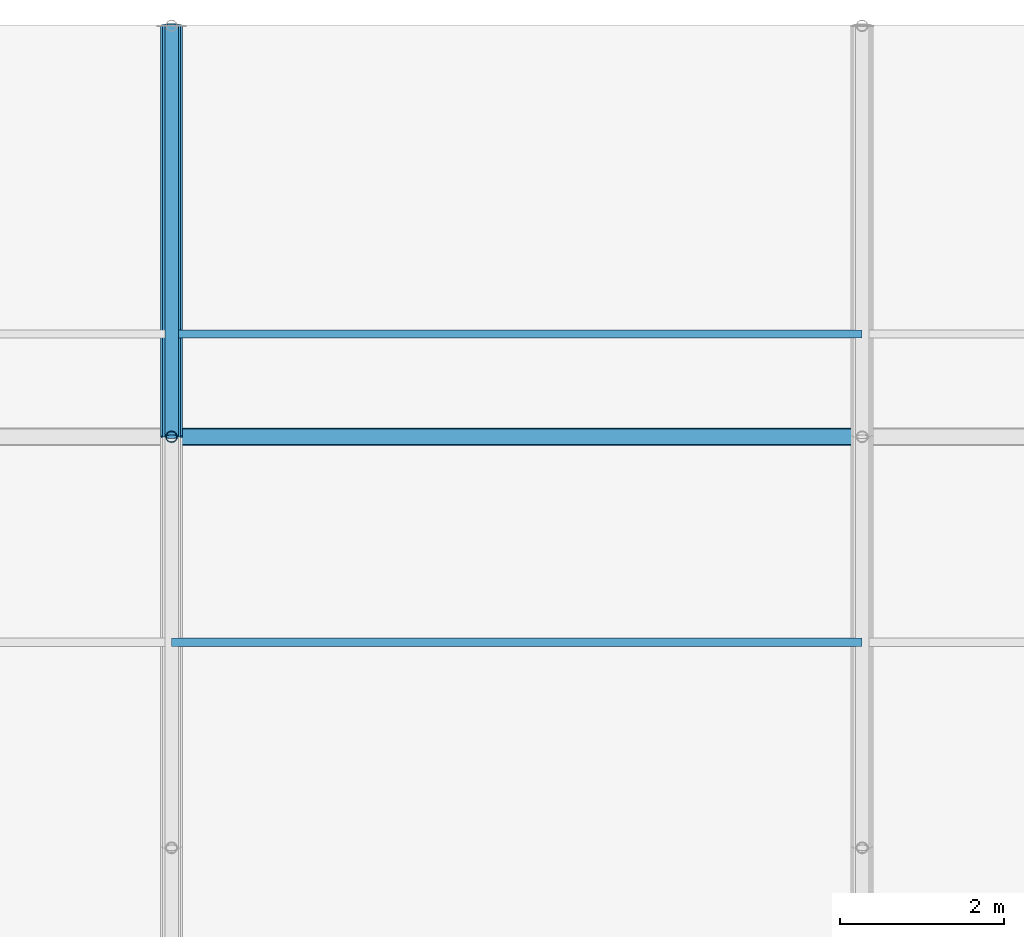
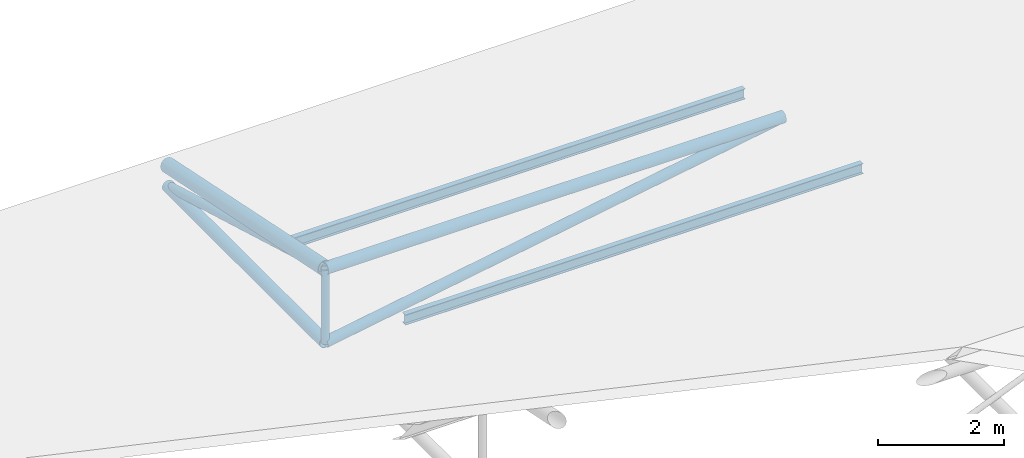
# One storey, part 108 of 194: 6 members, 2 beams.
"""IFC4 building model written with IfcOpenShell, lengths in metres."""

from ifc_helpers import new_model, si_unit, direction, frame, origin, origin_2d, place, context, subcontext, project, spatial, hollow_circle, i_section, extrude, material, material_profile, profile_set, type_object, element, save


model = new_model("IFC4")

# Units and contexts
model_context = context("Model", 3, precision=1e-05, world=origin(), true_north=direction((0.0, 1.0)))
body_context = subcontext(model_context, "Body", "Model", "MODEL_VIEW")
ifc_project = project(units=[si_unit("LENGTHUNIT", "METRE"), si_unit("AREAUNIT", "SQUARE_METRE"), si_unit("VOLUMEUNIT", "CUBIC_METRE"), si_unit("PLANEANGLEUNIT", "RADIAN"), si_unit("MASSUNIT", "GRAM", prefix="KILO")], contexts=[model_context])

# Site, building, storey
site_placement = place(None, origin())
site = spatial("IfcSite", under=ifc_project, at=site_placement, CompositionType="ELEMENT")
building_placement = place(site_placement, origin())
building = spatial("IfcBuilding", under=site, at=building_placement, Name="Kazenagashi Tramway Depot", CompositionType="ELEMENT")
storey_placement = place(building_placement, frame((0.0, 0.0, 23.7)))
storey = spatial("IfcBuildingStorey", under=building, at=storey_placement, Name="ROOF", CompositionType="ELEMENT", Elevation=23.7)

# Beams
ifc_material_1 = material(Name="Steel SN400B", Category="steel")
ifc_material_profile_1 = material_profile(ifc_material_1, i_section(OverallWidth=0.1, OverallDepth=0.2, WebThickness=0.0055, FlangeThickness=0.008, at=origin_2d()), Name="H-200x100x5.5x8")
ifc_profile_set_1 = profile_set([ifc_material_profile_1], Name="Steel SN400B")
beam_type = type_object("IfcBeamType", Name="PR-01", PredefinedType="USERDEFINED", material=ifc_profile_set_1)
for number, where, z_axis, x_axis, name in (
    (1, (170.8, 122.5, -12.13), (1.0, 0.0, 0.0), (0.0, 1.0, 0.0), "Beam PR-01 BM-2213"),
    (2, (170.8, 126.25, -12.955), (1.0, 0.0, 0.0), (0.0, 1.0, 0.0), "Beam PR-01 BM-2231"),
):
    element("IfcBeam", number, at=place(storey_placement, frame(where, z_axis=z_axis, x_axis=x_axis)), inside=storey, type_object=beam_type, Name=name, ObjectType="PURLIN", PredefinedType="USERDEFINED", context=body_context, shape_type="SweptSolid", body=[
        extrude(i_section(OverallWidth=0.1, OverallDepth=0.2, WebThickness=0.0055, FlangeThickness=0.008, at=origin_2d()), origin(), (0.0, 0.0, 1.0), 8.4),
    ])

# Members
ifc_material_2 = material(Name="Steel STK490", Category="steel")
ifc_material_profile_2 = material_profile(ifc_material_2, hollow_circle(Radius=0.1337, WallThickness=0.0093, at=origin_2d()), Name="CHS-267.4x9.3")
ifc_profile_set_2 = profile_set([ifc_material_profile_2], Name="Steel STK490")
member_type_1 = type_object("IfcMemberType", Name="TC-01", PredefinedType="CHORD", material=ifc_profile_set_2)
member_1_placement = place(storey_placement, frame((170.8, 125.0, -12.667), z_axis=(0.0, 0.979317999984, -0.202327098797), x_axis=(-1.0, 0.0, 0.0)))
element("IfcMember", 3, at=member_1_placement, inside=storey, type_object=member_type_1, Name="Tubular Space Frame TC-01 MEM-0962", PredefinedType="CHORD", context=body_context, shape_type="SweptSolid", body=[
    extrude(hollow_circle(Radius=0.1337, WallThickness=0.0093, at=origin_2d()), origin(), (0.0, 0.0, 1.0), 5.105594),
])
ifc_material_profile_3 = material_profile(ifc_material_2, hollow_circle(Radius=0.10815, WallThickness=0.0082, at=origin_2d()), Name="CHS-216.3x8.2")
ifc_profile_set_3 = profile_set([ifc_material_profile_3], Name="Steel STK490")
member_type_2 = type_object("IfcMemberType", Name="TC-02", PredefinedType="CHORD", material=ifc_profile_set_3)
member_2_placement = place(storey_placement, frame((170.8, 125.0, -14.1), z_axis=(0.0, 1.0, 0.0), x_axis=(-1.0, 0.0, 0.0)))
element("IfcMember", 4, at=member_2_placement, inside=storey, type_object=member_type_2, Name="Tubular Space Frame TC-02 MEM-0963", PredefinedType="CHORD", context=body_context, shape_type="SweptSolid", body=[
    extrude(hollow_circle(Radius=0.10815, WallThickness=0.0082, at=origin_2d()), origin(), (0.0, 0.0, 1.0), 5.0),
])
member_3_placement = place(storey_placement, frame((170.8, 125.0, -12.667), z_axis=(1.0, 0.0, 0.0), x_axis=(0.0, 1.0, 0.0)))
element("IfcMember", 5, at=member_3_placement, inside=storey, type_object=member_type_2, Name="Tubular Space Frame TC-02 MEM-0975", PredefinedType="CHORD", context=body_context, shape_type="SweptSolid", body=[
    extrude(hollow_circle(Radius=0.10815, WallThickness=0.0082, at=origin_2d()), origin(), (0.0, 0.0, 1.0), 8.4),
])
ifc_material_profile_4 = material_profile(ifc_material_2, hollow_circle(Radius=0.0826, WallThickness=0.0071, at=origin_2d()), Name="CHS-165.2x7.1")
ifc_profile_set_4 = profile_set([ifc_material_profile_4], Name="Steel STK490")
member_type_3 = type_object("IfcMemberType", Name="TS-01", PredefinedType="STRUT", material=ifc_profile_set_4)
member_4_placement = place(storey_placement, frame((170.8, 125.0, -12.667), z_axis=(0.0, 0.961298717795, -0.27550821252), x_axis=(-1.0, 0.0, 0.0)))
element("IfcMember", 6, at=member_4_placement, inside=storey, type_object=member_type_3, Name="Tubular Space Frame TS-01 MEM-0964", PredefinedType="STRUT", context=body_context, shape_type="SweptSolid", body=[
    extrude(hollow_circle(Radius=0.0826, WallThickness=0.0071, at=origin_2d()), origin(), (0.0, 0.0, 1.0), 5.201297),
])
ifc_material_profile_5 = material_profile(ifc_material_2, hollow_circle(Radius=0.0699, WallThickness=0.0066, at=origin_2d()), Name="CHS-139.8x6.6")
ifc_profile_set_5 = profile_set([ifc_material_profile_5], Name="Steel STK490")
member_type_4 = type_object("IfcMemberType", Name="TS-02", PredefinedType="STRUT", material=ifc_profile_set_5)
member_5_placement = place(storey_placement, frame((170.8, 125.0, -14.1), z_axis=(0.0, 0.0, 1.0), x_axis=(1.0, 0.0, 0.0)))
element("IfcMember", 7, at=member_5_placement, inside=storey, type_object=member_type_4, Name="Tubular Space Frame TS-02 MEM-0969", PredefinedType="STRUT", context=body_context, shape_type="SweptSolid", body=[
    extrude(hollow_circle(Radius=0.0699, WallThickness=0.0066, at=origin_2d()), origin(), (0.0, 0.0, 1.0), 1.433),
])
ifc_material_profile_6 = material_profile(ifc_material_2, hollow_circle(Radius=0.09535, WallThickness=0.007, at=origin_2d()), Name="CHS-190.7x7.0")
ifc_profile_set_6 = profile_set([ifc_material_profile_6], Name="Steel STK490")
member_type_5 = type_object("IfcMemberType", Name="TS-05", PredefinedType="STRUT", material=ifc_profile_set_6)
member_6_placement = place(storey_placement, frame((170.8, 125.0, -14.1), z_axis=(0.985758734117, 0.0, 0.168165745951), x_axis=(0.0, 1.0, 0.0)))
element("IfcMember", 8, at=member_6_placement, inside=storey, type_object=member_type_5, Name="Tubular Space Frame TS-05 MEM-0976", PredefinedType="STRUT", context=body_context, shape_type="SweptSolid", body=[
    extrude(hollow_circle(Radius=0.09535, WallThickness=0.007, at=origin_2d()), origin(), (0.0, 0.0, 1.0), 8.521355),
])

save(model, "model.ifc")
